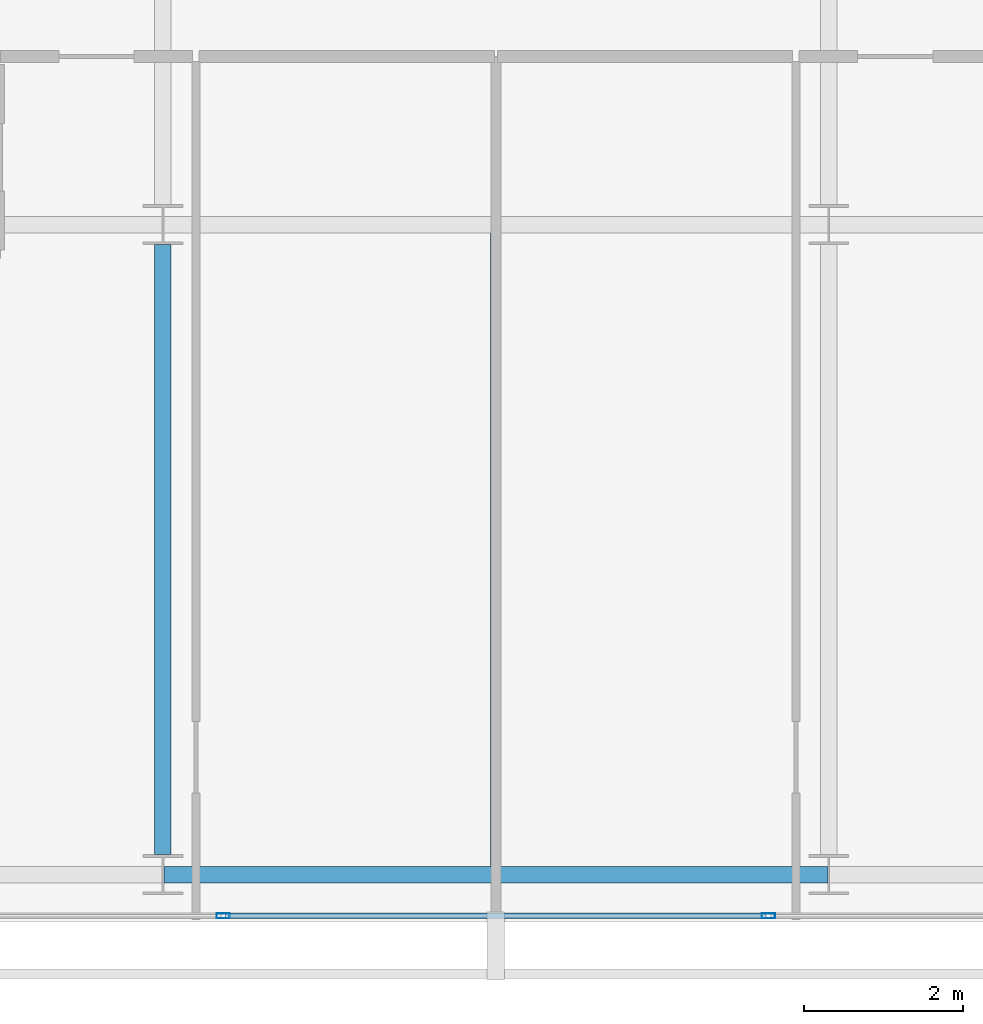
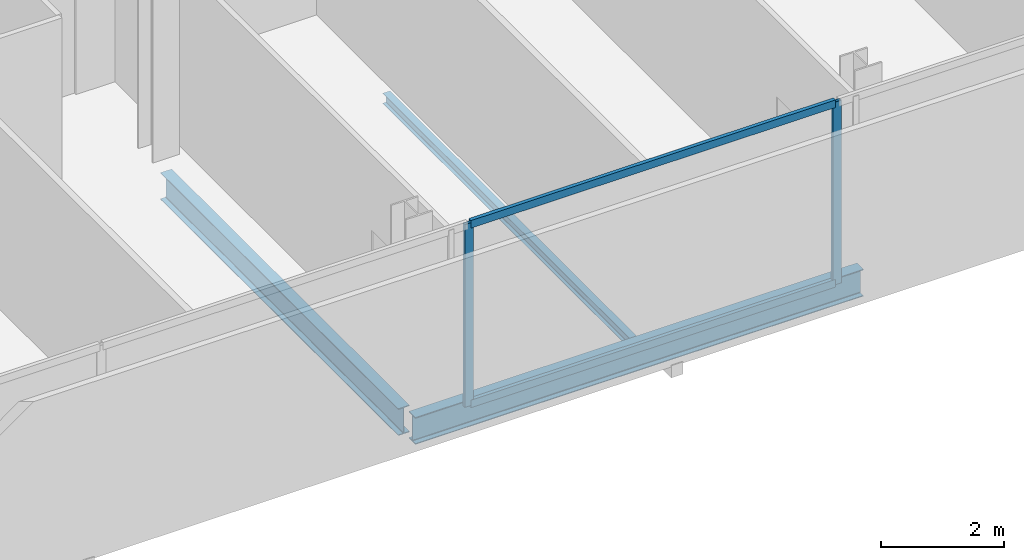
# One storey, part 6 of 26: 4 members, 3 beams, 1 element without a shape of its own.
"""IFC4 building model written with IfcOpenShell, lengths in metres."""

from ifc_helpers import new_model, si_unit, direction, frame, origin, origin_2d, place, context, subcontext, project, spatial, hollow_rectangle, i_section, extrude, material, layer, layer_set, material_profile, profile_set, type_object, element, aggregate, save


model = new_model("IFC4")

# Units and contexts
model_context = context("Model", 3, precision=1e-05, world=origin(), true_north=direction((0.0, 1.0)))
body_context = subcontext(model_context, "Body", "Model", "MODEL_VIEW")
ifc_project = project(units=[si_unit("LENGTHUNIT", "METRE"), si_unit("AREAUNIT", "SQUARE_METRE"), si_unit("VOLUMEUNIT", "CUBIC_METRE"), si_unit("PLANEANGLEUNIT", "RADIAN"), si_unit("MASSUNIT", "GRAM", prefix="KILO")], contexts=[model_context])

# Site, building, storey
site_placement = place(None, origin())
site = spatial("IfcSite", under=ifc_project, at=site_placement, CompositionType="ELEMENT")
building_placement = place(site_placement, origin())
building = spatial("IfcBuilding", under=site, at=building_placement, Name="Maruvema Waterfront Hotel and Observation Tower", CompositionType="ELEMENT")
storey_placement = place(building_placement, frame((0.0, 0.0, 258.64990234375)))
storey = spatial("IfcBuildingStorey", under=building, at=storey_placement, Name="L63", CompositionType="ELEMENT", Elevation=258.64990234375)

# Curtain wall, members
ifc_material_1 = material(Name="Anodised bronze aluminium and solar-control low-E IGU", Category="aluminium")
ifc_layer = layer(ifc_material_1, 0.159912109375, Name="Zone 3 Champagne Inner Thermal Curtain Wall System CW-04")
ifc_layer_set = layer_set([ifc_layer], Name="Anodised bronze aluminium and solar-control low-E IGU")
curtain_wall_type = type_object("IfcCurtainWallType", Name="Zone 3 Champagne Inner Thermal Curtain Wall System CW-04", PredefinedType="USERDEFINED", material=ifc_layer_set)
curtain_wall_placement = place(storey_placement, origin())
curtain_wall = element("IfcCurtainWall", 1, at=curtain_wall_placement, inside=storey, type_object=curtain_wall_type, Name="L63 Curtain Wall CW-L63-S", ObjectType="UNITISED CURTAIN WALL", PredefinedType="USERDEFINED")
ifc_material_2 = material(Name="Anodised architectural bronze aluminium", Category="aluminium")
ifc_material_profile_1 = material_profile(ifc_material_2, hollow_rectangle(XDim=0.070068359375, YDim=0.14990234375, WallThickness=0.00390625, at=origin_2d()), Name="ALU-T70x150")
ifc_profile_set_1 = profile_set([ifc_material_profile_1], Name="Anodised architectural bronze aluminium")
member_type_1 = type_object("IfcMemberType", Name="Curtain Wall Horizontal Transom ALU-T70x150", PredefinedType="USERDEFINED", material=ifc_profile_set_1)
member_1_placement = place(storey_placement, frame((34.389892578125, 9.280029296875, 0.030029296875), z_axis=(1.0, 0.0, 0.0), x_axis=(0.0, 1.0, 0.0)))
member_1 = element("IfcMember", 2, at=member_1_placement, type_object=member_type_1, Name="CW-04 transom 3.1", ObjectType="TRANSOM", PredefinedType="USERDEFINED", context=body_context, shape_type="SweptSolid", body=[
    extrude(hollow_rectangle(XDim=0.070068359375, YDim=0.14990234375, WallThickness=0.00390625, at=origin_2d()), origin(), (0.0, 0.0, 1.0), 6.820068359375),
])
member_2_placement = place(storey_placement, frame((34.389892578125, 9.280029296875, 3.580078125), z_axis=(1.0, 0.0, 0.0), x_axis=(0.0, 1.0, 0.0)))
member_2 = element("IfcMember", 3, at=member_2_placement, type_object=member_type_1, Name="CW-04 transom 3.2", ObjectType="TRANSOM", PredefinedType="USERDEFINED", context=body_context, shape_type="SweptSolid", body=[
    extrude(hollow_rectangle(XDim=0.070068359375, YDim=0.14990234375, WallThickness=0.00390625, at=origin_2d()), origin(), (0.0, 0.0, 1.0), 6.820068359375),
])
ifc_material_3 = material(Name="Anodised architectural bronze aluminium", Category="aluminium")
ifc_material_profile_2 = material_profile(ifc_material_3, hollow_rectangle(XDim=0.06494140625, YDim=0.1650390625, WallThickness=0.00390625, at=origin_2d()), Name="ALU-M65x165")
ifc_profile_set_2 = profile_set([ifc_material_profile_2], Name="Anodised architectural bronze aluminium")
member_type_2 = type_object("IfcMemberType", Name="Curtain Wall Primary Mullion ALU-M65x165", PredefinedType="MULLION", material=ifc_profile_set_2)
member_3_placement = place(storey_placement, frame((34.360107421875, 9.280029296875, 0.0), z_axis=(0.0, 0.0, 1.0), x_axis=(0.0, 1.0, 0.0)))
member_3 = element("IfcMember", 4, at=member_3_placement, type_object=member_type_2, Name="CW-04 mullion 3", PredefinedType="MULLION", context=body_context, shape_type="SweptSolid", body=[
    extrude(hollow_rectangle(XDim=0.06494140625, YDim=0.1650390625, WallThickness=0.00390625, at=origin_2d()), origin(), (0.0, 0.0, 1.0), 3.610107421875),
])
member_4_placement = place(storey_placement, frame((41.239990234375, 9.280029296875, 0.0), z_axis=(0.0, 0.0, 1.0), x_axis=(0.0, 1.0, 0.0)))
member_4 = element("IfcMember", 5, at=member_4_placement, type_object=member_type_2, Name="CW-04 mullion 4", PredefinedType="MULLION", context=body_context, shape_type="SweptSolid", body=[
    extrude(hollow_rectangle(XDim=0.06494140625, YDim=0.1650390625, WallThickness=0.00390625, at=origin_2d()), origin(), (0.0, 0.0, 1.0), 3.610107421875),
])
aggregate(curtain_wall, [member_3, member_4, member_1, member_2])

# Beams
ifc_material_4 = material(Name="Steel ASTM A572 Grade 50", Category="steel")
ifc_material_profile_3 = material_profile(ifc_material_4, i_section(OverallWidth=0.208984375, OverallDepth=0.532958984375, WebThickness=0.01025390625, FlangeThickness=0.015625, FilletRadius=0.014892578125, at=origin_2d()), Name="W530x92.0")
ifc_profile_set_3 = profile_set([ifc_material_profile_3], Name="Steel ASTM A572 Grade 50")
beam_type_1 = type_object("IfcBeamType", Name="Primary Floor Girder W530x92.0", PredefinedType="BEAM", material=ifc_profile_set_3)
beam_1_placement = place(storey_placement, frame((33.611083984375, 9.800048828125, -0.50634765625), z_axis=(1.0, 0.0, 0.0), x_axis=(0.0, 1.0, 0.0)))
element("IfcBeam", 6, at=beam_1_placement, inside=storey, type_object=beam_type_1, Name="L63 Floor Girder EW-02", PredefinedType="BEAM", context=body_context, shape_type="SweptSolid", body=[
    extrude(i_section(OverallWidth=0.208984375, OverallDepth=0.532958984375, WebThickness=0.01025390625, FlangeThickness=0.015625, FilletRadius=0.014892578125, at=origin_2d()), origin(), (0.0, 0.0, 1.0), 8.3779296875),
])
beam_2_placement = place(storey_placement, frame((33.60009765625, 10.050048828125, -0.50634765625), z_axis=(0.0, 1.0, 0.0), x_axis=(-1.0, 0.0, 0.0)))
element("IfcBeam", 7, at=beam_2_placement, inside=storey, type_object=beam_type_1, Name="L63 Floor Girder NS-08", PredefinedType="BEAM", context=body_context, shape_type="SweptSolid", body=[
    extrude(i_section(OverallWidth=0.208984375, OverallDepth=0.532958984375, WebThickness=0.01025390625, FlangeThickness=0.015625, FilletRadius=0.014892578125, at=origin_2d()), origin(), (0.0, 0.0, 1.0), 7.699951171875),
])
ifc_material_5 = material(Name="Steel ASTM A572 Grade 50", Category="steel")
ifc_material_profile_4 = material_profile(ifc_material_5, i_section(OverallWidth=0.133056640625, OverallDepth=0.20703125, WebThickness=0.005859375, FlangeThickness=0.00830078125, FilletRadius=0.010009765625, at=origin_2d()), Name="W200x26.6")
ifc_profile_set_4 = profile_set([ifc_material_profile_4], Name="Steel ASTM A572 Grade 50")
beam_type_2 = type_object("IfcBeamType", Name="Secondary Floor Joist W200x26.6", PredefinedType="JOIST", material=ifc_profile_set_4)
beam_3_placement = place(storey_placement, frame((37.800048828125, 9.904541015625, -0.343505859375), z_axis=(0.0, 1.0, 0.0), x_axis=(-1.0, 0.0, 0.0)))
element("IfcBeam", 8, at=beam_3_placement, inside=storey, type_object=beam_type_2, Name="L63 Secondary Floor Joist JS-05", PredefinedType="JOIST", context=body_context, shape_type="SweptSolid", body=[
    extrude(i_section(OverallWidth=0.133056640625, OverallDepth=0.20703125, WebThickness=0.005859375, FlangeThickness=0.00830078125, FilletRadius=0.010009765625, at=origin_2d()), origin(), (0.0, 0.0, 1.0), 7.990966796875),
])

save(model, "model.ifc")
